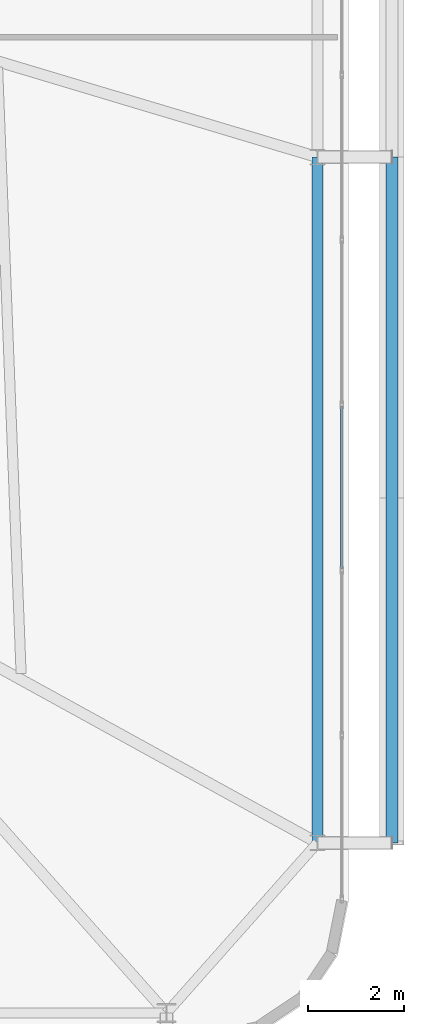
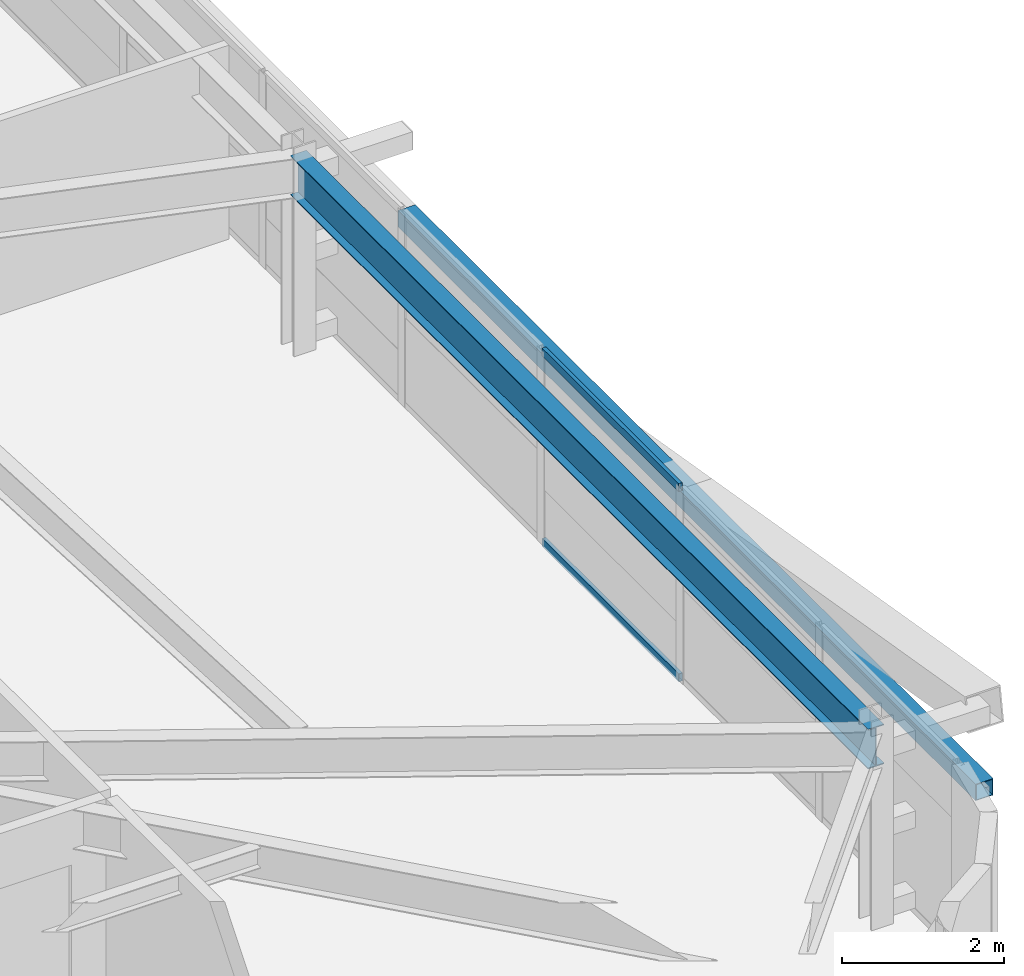
# One storey, part 27 of 58: 3 members, 1 beam, 1 element without a shape of its own.
"""IFC4 building model written with IfcOpenShell, lengths in metres."""

from ifc_helpers import new_model, si_unit, direction, frame, origin, origin_2d, place, context, subcontext, project, spatial, hollow_rectangle, i_section, extrude, source, transform, mapped, material, layer, layer_set, material_profile, profile_set, type_object, element, aggregate, save


model = new_model("IFC4")

# Units and contexts
model_context = context("Model", 3, precision=1e-05, world=origin(), true_north=direction((0.0, 1.0)))
body_context = subcontext(model_context, "Body", "Model", "MODEL_VIEW")
ifc_project = project(units=[si_unit("LENGTHUNIT", "METRE"), si_unit("AREAUNIT", "SQUARE_METRE"), si_unit("VOLUMEUNIT", "CUBIC_METRE"), si_unit("PLANEANGLEUNIT", "RADIAN"), si_unit("MASSUNIT", "GRAM", prefix="KILO")], contexts=[model_context])

# Site, building, storey
site_placement = place(None, origin())
site = spatial("IfcSite", under=ifc_project, at=site_placement, CompositionType="ELEMENT")
building_placement = place(site_placement, origin())
building = spatial("IfcBuilding", under=site, at=building_placement, Name="Taldren Reach Tower", CompositionType="ELEMENT")
storey_placement = place(building_placement, frame((0.0, 0.0, 32.550048828125)))
storey = spatial("IfcBuildingStorey", under=building, at=storey_placement, Name="L09", CompositionType="ELEMENT", Elevation=32.550048828125)

# Beam
ifc_material_1 = material(Name="Steel Gr 350 (350PLUS)", Category="steel")
ifc_material_profile_1 = material_profile(ifc_material_1, i_section(OverallWidth=0.22802734375, OverallDepth=0.60205078125, WebThickness=0.010498046875, FlangeThickness=0.014892578125, at=origin_2d()), Name="610UB101")
ifc_profile_set_1 = profile_set([ifc_material_profile_1], Name="Steel Gr 350 (350PLUS)")
beam_type = type_object("IfcBeamType", Name="BM-UB610B", PredefinedType="BEAM", material=ifc_profile_set_1)
shared_shape_1 = source(origin(), body_context, "Body", "SweptSolid", [
    extrude(i_section(OverallWidth=0.22802734375, OverallDepth=0.60205078125, WebThickness=0.010498046875, FlangeThickness=0.014892578125, at=origin_2d()), origin(), (0.0, 0.0, 1.0), 14.300048828125),
])
beam_placement = place(storey_placement, frame((64.35009765625, 5.699951171875, 2.62890625), z_axis=(0.0, 1.0, 0.0), x_axis=(-1.0, 0.0, 0.0)))
element("IfcBeam", 1, at=beam_placement, inside=storey, type_object=beam_type, Name="Perimeter gable girder B1 E1-E2 L09", PredefinedType="BEAM", context=body_context, shape_type="MappedRepresentation", body=[
    mapped(shared_shape_1, transform((0.0, 0.0, 0.0), scale=1.0)),
])

# Member
ifc_material_2 = material(Name="Steel Gr 350 (C350L0)", Category="steel")
ifc_material_profile_2 = material_profile(ifc_material_2, hollow_rectangle(XDim=0.25, YDim=0.25, WallThickness=0.010009765625, at=origin_2d()), Name="250x250x10.0SHS")
ifc_profile_set_2 = profile_set([ifc_material_profile_2], Name="Steel Gr 350 (C350L0)")
member_type_1 = type_object("IfcMemberType", Name="MB-POST250", PredefinedType="POST", material=ifc_profile_set_2)
shared_shape_2 = source(origin(), body_context, "Body", "SweptSolid", [
    extrude(hollow_rectangle(XDim=0.25, YDim=0.25, WallThickness=0.010009765625, at=origin_2d()), origin(), (0.0, 0.0, 1.0), 14.300048828125),
])
member_1_placement = place(storey_placement, frame((65.89990234375, 5.699951171875, 1.43505859375), z_axis=(0.0, 1.0, 0.0), x_axis=(-1.0, 0.0, 0.0)))
element("IfcMember", 2, at=member_1_placement, inside=storey, type_object=member_type_1, Name="Exoskeleton mid-height ring chord B1-E1 L09", PredefinedType="POST", context=body_context, shape_type="MappedRepresentation", body=[
    mapped(shared_shape_2, transform((0.0, 0.0, 0.0), scale=1.0)),
])

# Curtain wall, members
ifc_material_3 = material(Name="Aluminium and Low-E Glass Unitised System", Category="aluminium")
ifc_layer = layer(ifc_material_3, 0.159912109375)
ifc_layer_set = layer_set([ifc_layer], Name="Aluminium and Low-E Glass Unitised System")
curtain_wall_type = type_object("IfcCurtainWallType", Name="CW-SYS-2", PredefinedType="NOTDEFINED", material=ifc_layer_set)
curtain_wall_placement = place(storey_placement, origin())
curtain_wall = element("IfcCurtainWall", 3, at=curtain_wall_placement, inside=storey, type_object=curtain_wall_type, Name="Unitised curtain wall CW-L09-E", PredefinedType="NOTDEFINED")
ifc_material_4 = material(Name="Anodised Aluminium 6063-T6", Category="aluminium")
ifc_material_profile_3 = material_profile(ifc_material_4, hollow_rectangle(XDim=0.054931640625, YDim=0.1201171875, WallThickness=0.0029296875, at=origin_2d()), Name="ALU-120x55x3RHS")
ifc_profile_set_3 = profile_set([ifc_material_profile_3], Name="Anodised Aluminium 6063-T6")
member_type_2 = type_object("IfcMemberType", Name="CW-TRN-135", PredefinedType="USERDEFINED", material=ifc_profile_set_3)
shared_shape_3 = source(origin(), body_context, "Body", "SweptSolid", [
    extrude(hollow_rectangle(XDim=0.054931640625, YDim=0.1201171875, WallThickness=0.0029296875, at=origin_2d()), origin(), (0.0, 0.0, 1.0), 3.37939453125),
])
member_2_placement = place(storey_placement, frame((64.860107421875, 11.42138671875, 0.02734375), z_axis=(0.0, 1.0, 0.0), x_axis=(-1.0, 0.0, 0.0)))
member_2 = element("IfcMember", 4, at=member_2_placement, type_object=member_type_2, Name="CW-2 transom 3.1", ObjectType="TRANSOM", PredefinedType="USERDEFINED", context=body_context, shape_type="MappedRepresentation", body=[
    mapped(shared_shape_3, transform((0.0, 0.0, 0.0), scale=1.0)),
])
member_3_placement = place(storey_placement, frame((64.860107421875, 11.42138671875, 2.90234375), z_axis=(0.0, 1.0, 0.0), x_axis=(-1.0, 0.0, 0.0)))
member_3 = element("IfcMember", 5, at=member_3_placement, type_object=member_type_2, Name="CW-2 transom 3.2", ObjectType="TRANSOM", PredefinedType="USERDEFINED", context=body_context, shape_type="MappedRepresentation", body=[
    mapped(shared_shape_3, transform((0.0, 0.0, 0.0), scale=1.0)),
])
aggregate(curtain_wall, [member_2, member_3])

save(model, "model.ifc")
